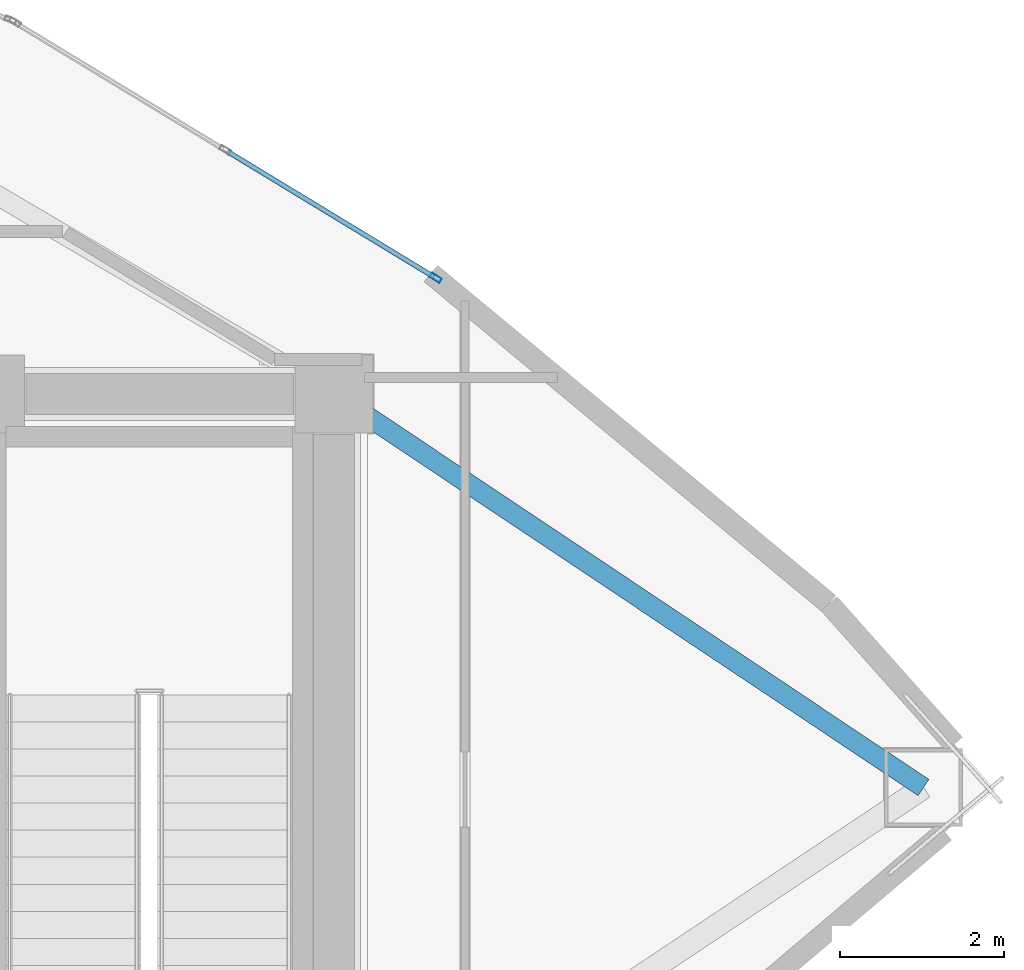
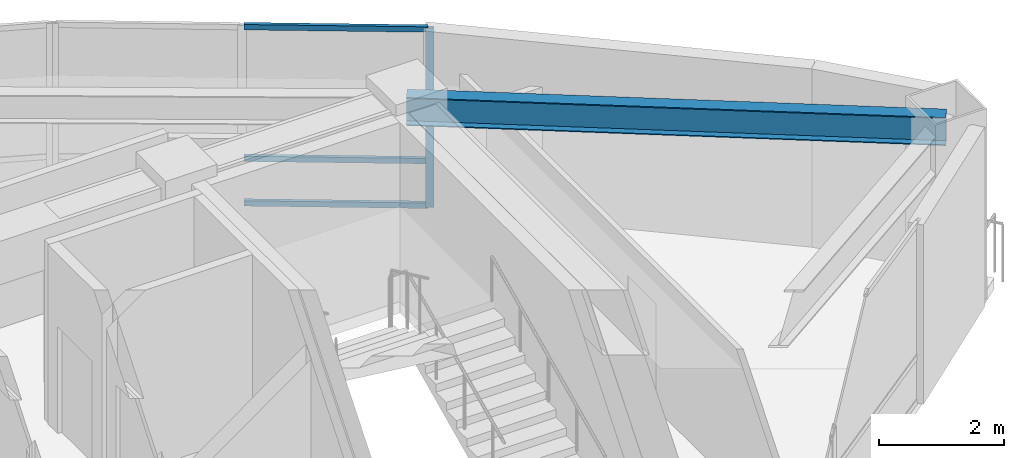
# One storey, part 9 of 15: 4 members, 1 beam, 1 element without a shape of its own.
"""IFC4 building model written with IfcOpenShell, lengths in metres."""

import ifcopenshell
import ifcopenshell.guid

model = None  # the IFC model being written
_history = None  # IfcOwnerHistory: only IFC2X3 demands one
_inside = {}  # id of a spatial element -> (the spatial element, [elements in it])
_under = {}  # id of a project, library or spatial element -> (it, [spatial elements below it])
_declared = {}  # id of a project -> (the project, [libraries it declares])
_typed = {}  # id of a type object -> (the type object, [elements of that type])
_made_of = {}  # id of a material, layer set ... -> (it, [elements and type objects made of it])


def new_model(schema):
    """Start an empty IFC model of exactly this schema.

    Asked for "IFC4X3", IfcOpenShell would pick the latest addendum, in which some entities
    have other attributes; the version numbers below select the first issue.
    IFC2X3 requires an IfcOwnerHistory on every rooted entity: one is made here for all.
    """
    global model, _history
    if schema == "IFC4X3":
        model = ifcopenshell.file(schema_version=(4, 3, 0, 0))
    else:
        model = ifcopenshell.file(schema=schema)
    _inside.clear()
    _under.clear()
    _declared.clear()
    _typed.clear()
    _made_of.clear()
    _history = None
    if model.schema == "IFC2X3":
        org = make("IfcOrganization", Name="unknown")
        user = make(
            "IfcPersonAndOrganization",
            ThePerson=make("IfcPerson", FamilyName="unknown"),
            TheOrganization=org,
        )
        app = make(
            "IfcApplication",
            ApplicationDeveloper=org,
            Version="unknown",
            ApplicationFullName="unknown",
            ApplicationIdentifier="unknown",
        )
        _history = make(
            "IfcOwnerHistory",
            OwningUser=user,
            OwningApplication=app,
            ChangeAction="ADDED",
            CreationDate=0,
        )
    return model


def make(cls, **values):
    """One entity of the class cls with the attributes given. An attribute that is None is left unset."""
    return model.create_entity(
        cls, **{name: value for name, value in values.items() if value is not None}
    )


def rooted(cls, **values):
    """An entity with a GlobalId (a new one), such as an element, a storey or a relation."""
    return make(cls, GlobalId=ifcopenshell.guid.new(), OwnerHistory=_history, **values)


def si_unit(unit_type, name, prefix=None):
    """IfcSIUnit, for example si_unit("LENGTHUNIT", "METRE", prefix="MILLI")."""
    return make("IfcSIUnit", UnitType=unit_type, Prefix=prefix, Name=name)


def assignment(units):
    """IfcUnitAssignment: the units of a project."""
    return None if units is None else make("IfcUnitAssignment", Units=units)


def point(xyz):
    """IfcCartesianPoint."""
    return None if xyz is None else make("IfcCartesianPoint", Coordinates=xyz)


def direction(xyz):
    """IfcDirection."""
    return None if xyz is None else make("IfcDirection", DirectionRatios=xyz)


def frame(location, z_axis=None, x_axis=None):
    """IfcAxis2Placement3D, a coordinate frame: its origin and axes. An axis left out is left unset."""
    return make(
        "IfcAxis2Placement3D",
        Location=point(location),
        Axis=direction(z_axis),
        RefDirection=direction(x_axis),
    )


def frame_2d(location, x_axis=None):
    """IfcAxis2Placement2D, a coordinate frame in the plane: its origin and x axis."""
    return make(
        "IfcAxis2Placement2D", Location=point(location), RefDirection=direction(x_axis)
    )


def origin():
    """The frame at (0, 0, 0) with its axes left unset."""
    return frame((0.0, 0.0, 0.0))


def origin_2d():
    """The frame at (0, 0) in the plane with its x axis left unset."""
    return frame_2d((0.0, 0.0))


def place(relative_to, where):
    """IfcLocalPlacement: puts the frame where relative to a parent placement (None: the world)."""
    return make(
        "IfcLocalPlacement", PlacementRelTo=relative_to, RelativePlacement=where
    )


def context(
    kind, dimensions, precision=None, world=None, true_north=None, identifier=None
):
    """IfcGeometricRepresentationContext, for example the 3D "Model" context."""
    return make(
        "IfcGeometricRepresentationContext",
        ContextIdentifier=identifier,
        ContextType=kind,
        CoordinateSpaceDimension=dimensions,
        Precision=precision,
        WorldCoordinateSystem=world,
        TrueNorth=true_north,
    )


def subcontext(parent, identifier, kind, view, scale=None):
    """IfcGeometricRepresentationSubContext, for example "Body" below "Model"."""
    return make(
        "IfcGeometricRepresentationSubContext",
        ContextIdentifier=identifier,
        ContextType=kind,
        ParentContext=parent,
        TargetScale=scale,
        TargetView=view,
    )


def project(units=None, contexts=None):
    """IfcProject with its units and contexts."""
    return rooted(
        "IfcProject",
        Name="project",
        RepresentationContexts=contexts,
        UnitsInContext=assignment(units),
    )


def spatial(cls, under=None, at=None, **own):
    """A site, building, storey or space (cls), placed at a placement, below another one or the project."""
    s = rooted(cls, ObjectPlacement=at, **own)
    if under is not None:
        _under.setdefault(under.id(), (under, []))[1].append(s)
    return s


def profile(cls, at=None, kind="AREA", **sizes):
    """A parametric profile (cls). Its sizes go by their IFC names, for example OverallWidth=200.0."""
    return make(cls, ProfileType=kind, Position=at, **sizes)


def hollow_rectangle(**sizes):
    """IfcRectangleHollowProfileDef."""
    return profile("IfcRectangleHollowProfileDef", **sizes)


def i_section(**sizes):
    """IfcIShapeProfileDef."""
    return profile("IfcIShapeProfileDef", **sizes)


def extrude(swept, where, along, depth):
    """IfcExtrudedAreaSolid: the profile swept, set in the frame where, extruded along a direction by depth."""
    return make(
        "IfcExtrudedAreaSolid",
        SweptArea=swept,
        Position=where,
        ExtrudedDirection=direction(along),
        Depth=depth,
    )


def shape(context_of_items, identifier, shape_type, items):
    """IfcShapeRepresentation: the items that make up one representation, for example the "Body"."""
    return make(
        "IfcShapeRepresentation",
        ContextOfItems=context_of_items,
        RepresentationIdentifier=identifier,
        RepresentationType=shape_type,
        Items=items,
    )


def material(Name=None, Category=None):
    """IfcMaterial."""
    return make("IfcMaterial", Name=Name, Category=Category)


def layer(
    of_material, thickness, ventilated=None, Name=None, Category=None, Priority=None
):
    """IfcMaterialLayer: one layer of a wall or slab, of a material (None: an air gap)."""
    return make(
        "IfcMaterialLayer",
        Material=of_material,
        LayerThickness=thickness,
        IsVentilated=ventilated,
        Name=Name,
        Category=Category,
        Priority=Priority,
    )


def layer_set(layers, Name=None):
    """IfcMaterialLayerSet."""
    return make("IfcMaterialLayerSet", MaterialLayers=layers, LayerSetName=Name)


def material_profile(
    of_material, cross_section, Name=None, Category=None, Priority=None
):
    """IfcMaterialProfile: a cross section and its material."""
    return make(
        "IfcMaterialProfile",
        Name=Name,
        Material=of_material,
        Profile=cross_section,
        Priority=Priority,
        Category=Category,
    )


def profile_set(profiles, Name=None, composite=None):
    """IfcMaterialProfileSet."""
    return make(
        "IfcMaterialProfileSet",
        Name=Name,
        MaterialProfiles=profiles,
        CompositeProfile=composite,
    )


def made_of(thing, what):
    """Note that an element or type object is made of a material, layer set ...; save() writes the relation."""
    if what is not None:
        _made_of.setdefault(what.id(), (what, []))[1].append(thing)
    return thing


def type_object(cls, material=None, **own):
    """A type object (cls), such as IfcWallType, which elements share."""
    return made_of(rooted(cls, **own), material)


def element(
    cls,
    number,
    at=None,
    inside=None,
    cuts=None,
    type_object=None,
    material=None,
    context=None,
    identifier="Body",
    shape_type=None,
    held_by="IfcProductDefinitionShape",
    body=None,
    shapes=None,
    **own,
):
    """One element of the class cls, such as IfcWall. Its Tag is "e" and its number.

    at: its placement. inside: the storey or other place that contains it. cuts: it is an
    opening in that element (IfcRelVoidsElement). A single representation is given by context,
    identifier, shape_type and body (its items); several are given by shapes. held_by: the class
    of the entity that holds the representations. save() writes the other relations.
    """
    e = rooted(cls, Tag="e%d" % number, ObjectPlacement=at, **own)
    if body is not None:
        shapes = [shape(context, identifier, shape_type, body)]
    if shapes is not None:
        e.Representation = make(held_by, Representations=shapes)
    if inside is not None:
        _inside.setdefault(inside.id(), (inside, []))[1].append(e)
    if cuts is not None:
        rooted(
            "IfcRelVoidsElement", RelatingBuildingElement=cuts, RelatedOpeningElement=e
        )
    if type_object is not None:
        _typed.setdefault(type_object.id(), (type_object, []))[1].append(e)
    return made_of(e, material)


def aggregate(whole, parts):
    """IfcRelAggregates: a whole, such as a stair, and the parts it consists of."""
    return rooted("IfcRelAggregates", RelatingObject=whole, RelatedObjects=parts)


def save(model, path):
    """Write the relations noted so far, then the file.

    IfcRelAggregates (storeys below a building ...), IfcRelContainedInSpatialStructure (elements
    in a storey), IfcRelDefinesByType, IfcRelAssociatesMaterial and IfcRelDeclares: one each for
    every whole, place, type object, material and project.
    """
    for whole, parts in _under.values():
        aggregate(whole, parts)
    for where, things in _inside.values():
        rooted(
            "IfcRelContainedInSpatialStructure",
            RelatedElements=things,
            RelatingStructure=where,
        )
    for kind, things in _typed.values():
        rooted("IfcRelDefinesByType", RelatedObjects=things, RelatingType=kind)
    for what, things in _made_of.values():
        rooted("IfcRelAssociatesMaterial", RelatedObjects=things, RelatingMaterial=what)
    for by, libraries in _declared.values():
        rooted("IfcRelDeclares", RelatingContext=by, RelatedDefinitions=libraries)
    model.write(path)


model = new_model("IFC4")

# Units and contexts
model_context = context("Model", 3, precision=1e-05, world=origin(), true_north=direction((0.0, 1.0)))
body_context = subcontext(model_context, "Body", "Model", "MODEL_VIEW")
ifc_project = project(units=[si_unit("LENGTHUNIT", "METRE"), si_unit("AREAUNIT", "SQUARE_METRE"), si_unit("VOLUMEUNIT", "CUBIC_METRE"), si_unit("PLANEANGLEUNIT", "RADIAN"), si_unit("MASSUNIT", "GRAM", prefix="KILO")], contexts=[model_context])

# Site, building, storey
site_placement = place(None, origin())
site = spatial("IfcSite", under=ifc_project, at=site_placement, CompositionType="ELEMENT")
building_placement = place(site_placement, origin())
building = spatial("IfcBuilding", under=site, at=building_placement, Name="Menara Vayukalpa", CompositionType="ELEMENT")
storey_placement = place(building_placement, frame((0.0, 0.0, 180.360107421875)))
storey = spatial("IfcBuildingStorey", under=building, at=storey_placement, Name="L45", CompositionType="ELEMENT", Elevation=180.360107421875)

# Beam
ifc_material_1 = material(Name="Steel S355", Category="steel")
ifc_material_profile_1 = material_profile(ifc_material_1, i_section(OverallWidth=0.239990234375, OverallDepth=0.550048828125, WebThickness=0.010986328125, FlangeThickness=0.01904296875, at=origin_2d()), Name="WF 550x240x11x19")
ifc_profile_set_1 = profile_set([ifc_material_profile_1], Name="Steel S355")
beam_type = type_object("IfcBeamType", Name="BM-SP2", PredefinedType="SPANDREL", material=ifc_profile_set_1)
beam_placement = place(storey_placement, frame((40.590576171875, 22.0, 3.224853515625), z_axis=(-0.831715622571, 0.555201876052, 0.0), x_axis=(-0.555201876052, -0.831715622571, 0.0)))
element("IfcBeam", 1, at=beam_placement, inside=storey, type_object=beam_type, Name="L45 Perimeter Spandrel Beam SP01", PredefinedType="SPANDREL", context=body_context, shape_type="SweptSolid", body=[
    extrude(i_section(OverallWidth=0.239990234375, OverallDepth=0.550048828125, WebThickness=0.010986328125, FlangeThickness=0.01904296875, at=origin_2d()), origin(), (0.0, 0.0, 1.0), 8.6455078125),
])

# Curtain wall, members
ifc_material_2 = material(Name="Anodised Terracotta Aluminium Alloy 6063-T6", Category="masonry")
ifc_layer = layer(ifc_material_2, 0.139892578125)
ifc_layer_set = layer_set([ifc_layer], Name="Anodised Terracotta Aluminium Alloy 6063-T6")
curtain_wall_type = type_object("IfcCurtainWallType", Name="CW-CW5", PredefinedType="USERDEFINED", material=ifc_layer_set)
curtain_wall_placement = place(storey_placement, origin())
curtain_wall = element("IfcCurtainWall", 2, at=curtain_wall_placement, inside=storey, type_object=curtain_wall_type, Name="L45 High Rise Tapered Curtain Wall CW5 04", ObjectType="UNITISED", PredefinedType="USERDEFINED")
ifc_material_3 = material(Name="Anodised Terracotta Aluminium Alloy 6063-T6", Category="masonry")
ifc_material_profile_2 = material_profile(ifc_material_3, hollow_rectangle(XDim=0.06005859375, YDim=0.139892578125, WallThickness=0.00341796875, at=origin_2d()), Name="ALU 60x140x3.5")
ifc_profile_set_2 = profile_set([ifc_material_profile_2], Name="Anodised Terracotta Aluminium Alloy 6063-T6")
member_type_1 = type_object("IfcMemberType", Name="CWM-CW5", PredefinedType="MULLION", material=ifc_profile_set_2)
member_1_placement = place(storey_placement, frame((34.6416015625, 28.21484375, 0.0), z_axis=(0.0, 0.0, 1.0), x_axis=(-0.519179911779, -0.854664974832, 0.0)))
member_1 = element("IfcMember", 3, at=member_1_placement, type_object=member_type_1, Name="CW5 mullion 1", PredefinedType="MULLION", context=body_context, shape_type="SweptSolid", body=[
    extrude(hollow_rectangle(XDim=0.06005859375, YDim=0.139892578125, WallThickness=0.00341796875, at=origin_2d()), origin(), (0.0, 0.0, 1.0), 3.5),
])
ifc_material_4 = material(Name="Anodised Terracotta Aluminium Alloy 6063-T6", Category="masonry")
ifc_material_profile_3 = material_profile(ifc_material_4, hollow_rectangle(XDim=0.06005859375, YDim=0.10498046875, WallThickness=0.0029296875, at=origin_2d()), Name="ALU 60x105x3")
ifc_profile_set_3 = profile_set([ifc_material_profile_3], Name="Anodised Terracotta Aluminium Alloy 6063-T6")
member_type_2 = type_object("IfcMemberType", Name="CWT-CW5", PredefinedType="USERDEFINED", material=ifc_profile_set_3)
member_2_placement = place(storey_placement, frame((34.615966796875, 28.23046875, 0.02978515625), z_axis=(-0.854683649113, 0.519149169255, 0.0), x_axis=(-0.519149169255, -0.854683649113, 0.0)))
member_2 = element("IfcMember", 4, at=member_2_placement, type_object=member_type_2, Name="CW5 transom 1.1", ObjectType="TRANSOM", PredefinedType="USERDEFINED", context=body_context, shape_type="SweptSolid", body=[
    extrude(hollow_rectangle(XDim=0.06005859375, YDim=0.10498046875, WallThickness=0.0029296875, at=origin_2d()), origin(), (0.0, 0.0, 1.0), 2.9423828125),
])
member_3_placement = place(storey_placement, frame((34.615966796875, 28.23046875, 0.89990234375), z_axis=(-0.854683649113, 0.519149169255, 0.0), x_axis=(-0.519149169255, -0.854683649113, 0.0)))
member_3 = element("IfcMember", 5, at=member_3_placement, type_object=member_type_2, Name="CW5 transom 1.2", ObjectType="TRANSOM", PredefinedType="USERDEFINED", context=body_context, shape_type="SweptSolid", body=[
    extrude(hollow_rectangle(XDim=0.06005859375, YDim=0.10498046875, WallThickness=0.0029296875, at=origin_2d()), origin(), (0.0, 0.0, 1.0), 2.9423828125),
])
member_4_placement = place(storey_placement, frame((34.615966796875, 28.23046875, 3.469970703125), z_axis=(-0.854683649113, 0.519149169255, 0.0), x_axis=(-0.519149169255, -0.854683649113, 0.0)))
member_4 = element("IfcMember", 6, at=member_4_placement, type_object=member_type_2, Name="CW5 transom 1.3", ObjectType="TRANSOM", PredefinedType="USERDEFINED", context=body_context, shape_type="SweptSolid", body=[
    extrude(hollow_rectangle(XDim=0.06005859375, YDim=0.10498046875, WallThickness=0.0029296875, at=origin_2d()), origin(), (0.0, 0.0, 1.0), 2.9423828125),
])
aggregate(curtain_wall, [member_1, member_2, member_3, member_4])

save(model, "model.ifc")
